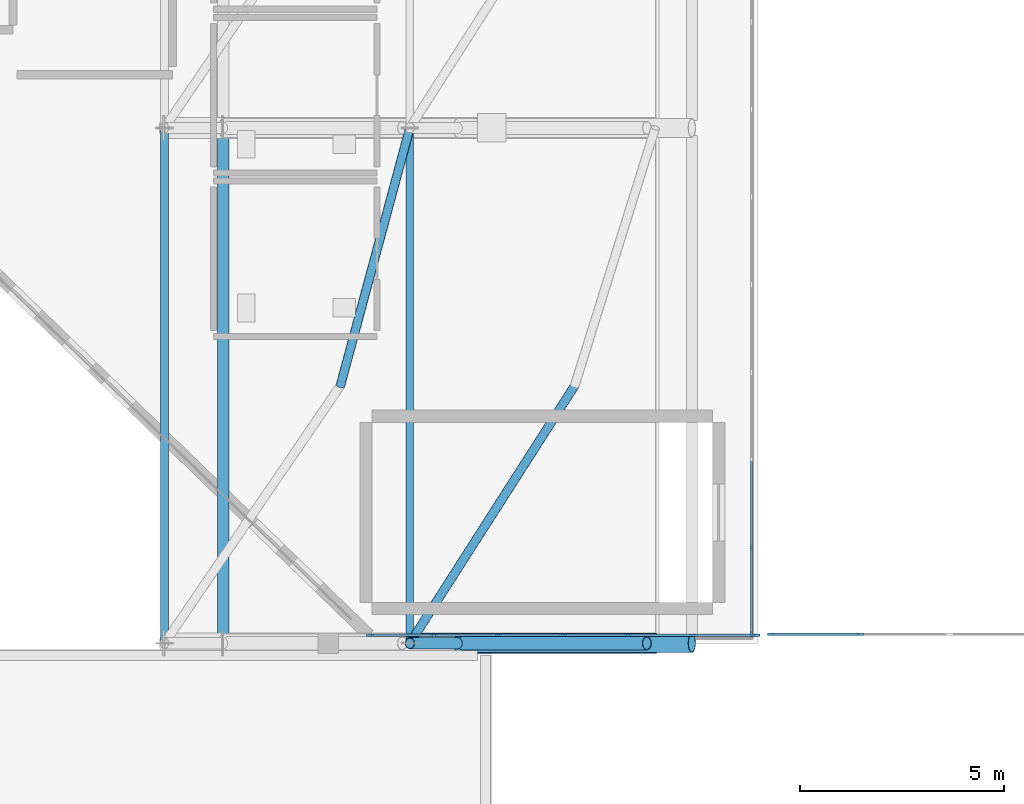
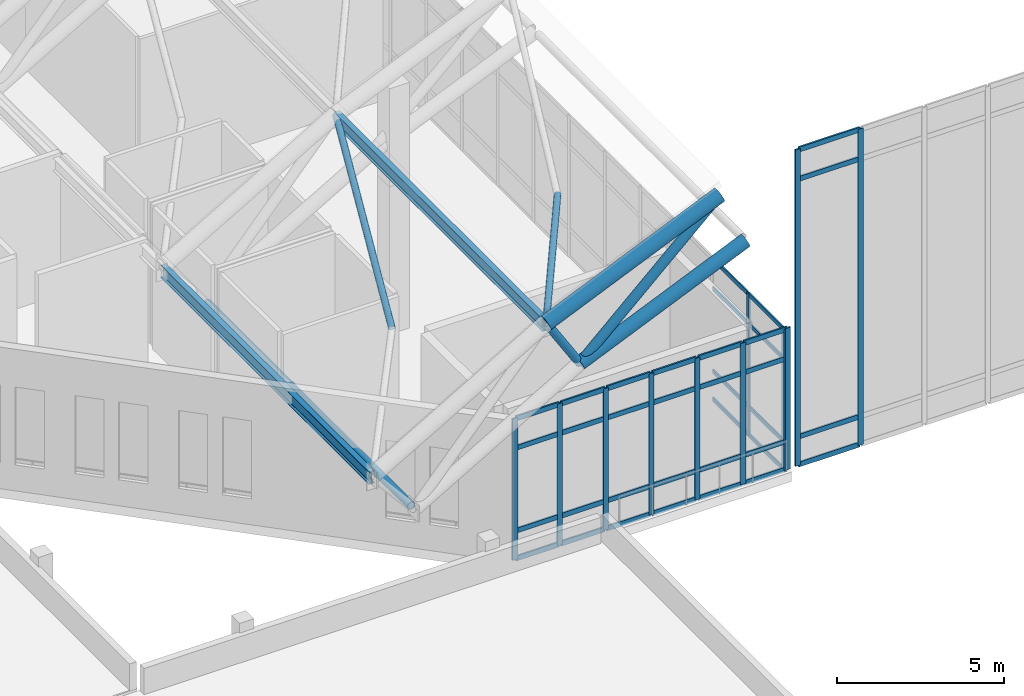
# One storey, part 2 of 42: 56 members, 3 elements without a shape of their own.
"""IFC4 building model written with IfcOpenShell, lengths in metres."""

import ifcopenshell
import ifcopenshell.guid

model = None  # the IFC model being written
_history = None  # IfcOwnerHistory: only IFC2X3 demands one
_inside = {}  # id of a spatial element -> (the spatial element, [elements in it])
_under = {}  # id of a project, library or spatial element -> (it, [spatial elements below it])
_declared = {}  # id of a project -> (the project, [libraries it declares])
_typed = {}  # id of a type object -> (the type object, [elements of that type])
_made_of = {}  # id of a material, layer set ... -> (it, [elements and type objects made of it])


def new_model(schema):
    """Start an empty IFC model of exactly this schema.

    Asked for "IFC4X3", IfcOpenShell would pick the latest addendum, in which some entities
    have other attributes; the version numbers below select the first issue.
    IFC2X3 requires an IfcOwnerHistory on every rooted entity: one is made here for all.
    """
    global model, _history
    if schema == "IFC4X3":
        model = ifcopenshell.file(schema_version=(4, 3, 0, 0))
    else:
        model = ifcopenshell.file(schema=schema)
    _inside.clear()
    _under.clear()
    _declared.clear()
    _typed.clear()
    _made_of.clear()
    _history = None
    if model.schema == "IFC2X3":
        org = make("IfcOrganization", Name="unknown")
        user = make(
            "IfcPersonAndOrganization",
            ThePerson=make("IfcPerson", FamilyName="unknown"),
            TheOrganization=org,
        )
        app = make(
            "IfcApplication",
            ApplicationDeveloper=org,
            Version="unknown",
            ApplicationFullName="unknown",
            ApplicationIdentifier="unknown",
        )
        _history = make(
            "IfcOwnerHistory",
            OwningUser=user,
            OwningApplication=app,
            ChangeAction="ADDED",
            CreationDate=0,
        )
    return model


def make(cls, **values):
    """One entity of the class cls with the attributes given. An attribute that is None is left unset."""
    return model.create_entity(
        cls, **{name: value for name, value in values.items() if value is not None}
    )


def rooted(cls, **values):
    """An entity with a GlobalId (a new one), such as an element, a storey or a relation."""
    return make(cls, GlobalId=ifcopenshell.guid.new(), OwnerHistory=_history, **values)


def si_unit(unit_type, name, prefix=None):
    """IfcSIUnit, for example si_unit("LENGTHUNIT", "METRE", prefix="MILLI")."""
    return make("IfcSIUnit", UnitType=unit_type, Prefix=prefix, Name=name)


def derived_unit(unit_type, elements):
    """IfcDerivedUnit: a product of units, each with its exponent."""
    return make(
        "IfcDerivedUnit",
        Elements=[
            make("IfcDerivedUnitElement", Unit=unit, Exponent=power)
            for unit, power in elements
        ],
        UnitType=unit_type,
    )


def assignment(units):
    """IfcUnitAssignment: the units of a project."""
    return None if units is None else make("IfcUnitAssignment", Units=units)


def point(xyz):
    """IfcCartesianPoint."""
    return None if xyz is None else make("IfcCartesianPoint", Coordinates=xyz)


def direction(xyz):
    """IfcDirection."""
    return None if xyz is None else make("IfcDirection", DirectionRatios=xyz)


def frame(location, z_axis=None, x_axis=None):
    """IfcAxis2Placement3D, a coordinate frame: its origin and axes. An axis left out is left unset."""
    return make(
        "IfcAxis2Placement3D",
        Location=point(location),
        Axis=direction(z_axis),
        RefDirection=direction(x_axis),
    )


def frame_2d(location, x_axis=None):
    """IfcAxis2Placement2D, a coordinate frame in the plane: its origin and x axis."""
    return make(
        "IfcAxis2Placement2D", Location=point(location), RefDirection=direction(x_axis)
    )


def origin():
    """The frame at (0, 0, 0) with its axes left unset."""
    return frame((0.0, 0.0, 0.0))


def origin_2d():
    """The frame at (0, 0) in the plane with its x axis left unset."""
    return frame_2d((0.0, 0.0))


def place(relative_to, where):
    """IfcLocalPlacement: puts the frame where relative to a parent placement (None: the world)."""
    return make(
        "IfcLocalPlacement", PlacementRelTo=relative_to, RelativePlacement=where
    )


def context(
    kind, dimensions, precision=None, world=None, true_north=None, identifier=None
):
    """IfcGeometricRepresentationContext, for example the 3D "Model" context."""
    return make(
        "IfcGeometricRepresentationContext",
        ContextIdentifier=identifier,
        ContextType=kind,
        CoordinateSpaceDimension=dimensions,
        Precision=precision,
        WorldCoordinateSystem=world,
        TrueNorth=true_north,
    )


def subcontext(parent, identifier, kind, view, scale=None):
    """IfcGeometricRepresentationSubContext, for example "Body" below "Model"."""
    return make(
        "IfcGeometricRepresentationSubContext",
        ContextIdentifier=identifier,
        ContextType=kind,
        ParentContext=parent,
        TargetScale=scale,
        TargetView=view,
    )


def project(units=None, contexts=None):
    """IfcProject with its units and contexts."""
    return rooted(
        "IfcProject",
        Name="project",
        RepresentationContexts=contexts,
        UnitsInContext=assignment(units),
    )


def spatial(cls, under=None, at=None, **own):
    """A site, building, storey or space (cls), placed at a placement, below another one or the project."""
    s = rooted(cls, ObjectPlacement=at, **own)
    if under is not None:
        _under.setdefault(under.id(), (under, []))[1].append(s)
    return s


def profile(cls, at=None, kind="AREA", **sizes):
    """A parametric profile (cls). Its sizes go by their IFC names, for example OverallWidth=200.0."""
    return make(cls, ProfileType=kind, Position=at, **sizes)


def rectangle(**sizes):
    """IfcRectangleProfileDef."""
    return profile("IfcRectangleProfileDef", **sizes)


def hollow_circle(**sizes):
    """IfcCircleHollowProfileDef."""
    return profile("IfcCircleHollowProfileDef", **sizes)


def i_section(**sizes):
    """IfcIShapeProfileDef."""
    return profile("IfcIShapeProfileDef", **sizes)


def extrude(swept, where, along, depth):
    """IfcExtrudedAreaSolid: the profile swept, set in the frame where, extruded along a direction by depth."""
    return make(
        "IfcExtrudedAreaSolid",
        SweptArea=swept,
        Position=where,
        ExtrudedDirection=direction(along),
        Depth=depth,
    )


def shape(context_of_items, identifier, shape_type, items):
    """IfcShapeRepresentation: the items that make up one representation, for example the "Body"."""
    return make(
        "IfcShapeRepresentation",
        ContextOfItems=context_of_items,
        RepresentationIdentifier=identifier,
        RepresentationType=shape_type,
        Items=items,
    )


def material(Name=None, Category=None):
    """IfcMaterial."""
    return make("IfcMaterial", Name=Name, Category=Category)


def layer(
    of_material, thickness, ventilated=None, Name=None, Category=None, Priority=None
):
    """IfcMaterialLayer: one layer of a wall or slab, of a material (None: an air gap)."""
    return make(
        "IfcMaterialLayer",
        Material=of_material,
        LayerThickness=thickness,
        IsVentilated=ventilated,
        Name=Name,
        Category=Category,
        Priority=Priority,
    )


def layer_set(layers, Name=None):
    """IfcMaterialLayerSet."""
    return make("IfcMaterialLayerSet", MaterialLayers=layers, LayerSetName=Name)


def material_profile(
    of_material, cross_section, Name=None, Category=None, Priority=None
):
    """IfcMaterialProfile: a cross section and its material."""
    return make(
        "IfcMaterialProfile",
        Name=Name,
        Material=of_material,
        Profile=cross_section,
        Priority=Priority,
        Category=Category,
    )


def profile_set(profiles, Name=None, composite=None):
    """IfcMaterialProfileSet."""
    return make(
        "IfcMaterialProfileSet",
        Name=Name,
        MaterialProfiles=profiles,
        CompositeProfile=composite,
    )


def made_of(thing, what):
    """Note that an element or type object is made of a material, layer set ...; save() writes the relation."""
    if what is not None:
        _made_of.setdefault(what.id(), (what, []))[1].append(thing)
    return thing


def type_object(cls, material=None, **own):
    """A type object (cls), such as IfcWallType, which elements share."""
    return made_of(rooted(cls, **own), material)


def element(
    cls,
    number,
    at=None,
    inside=None,
    cuts=None,
    type_object=None,
    material=None,
    context=None,
    identifier="Body",
    shape_type=None,
    held_by="IfcProductDefinitionShape",
    body=None,
    shapes=None,
    **own,
):
    """One element of the class cls, such as IfcWall. Its Tag is "e" and its number.

    at: its placement. inside: the storey or other place that contains it. cuts: it is an
    opening in that element (IfcRelVoidsElement). A single representation is given by context,
    identifier, shape_type and body (its items); several are given by shapes. held_by: the class
    of the entity that holds the representations. save() writes the other relations.
    """
    e = rooted(cls, Tag="e%d" % number, ObjectPlacement=at, **own)
    if body is not None:
        shapes = [shape(context, identifier, shape_type, body)]
    if shapes is not None:
        e.Representation = make(held_by, Representations=shapes)
    if inside is not None:
        _inside.setdefault(inside.id(), (inside, []))[1].append(e)
    if cuts is not None:
        rooted(
            "IfcRelVoidsElement", RelatingBuildingElement=cuts, RelatedOpeningElement=e
        )
    if type_object is not None:
        _typed.setdefault(type_object.id(), (type_object, []))[1].append(e)
    return made_of(e, material)


def aggregate(whole, parts):
    """IfcRelAggregates: a whole, such as a stair, and the parts it consists of."""
    return rooted("IfcRelAggregates", RelatingObject=whole, RelatedObjects=parts)


def save(model, path):
    """Write the relations noted so far, then the file.

    IfcRelAggregates (storeys below a building ...), IfcRelContainedInSpatialStructure (elements
    in a storey), IfcRelDefinesByType, IfcRelAssociatesMaterial and IfcRelDeclares: one each for
    every whole, place, type object, material and project.
    """
    for whole, parts in _under.values():
        aggregate(whole, parts)
    for where, things in _inside.values():
        rooted(
            "IfcRelContainedInSpatialStructure",
            RelatedElements=things,
            RelatingStructure=where,
        )
    for kind, things in _typed.values():
        rooted("IfcRelDefinesByType", RelatedObjects=things, RelatingType=kind)
    for what, things in _made_of.values():
        rooted("IfcRelAssociatesMaterial", RelatedObjects=things, RelatingMaterial=what)
    for by, libraries in _declared.values():
        rooted("IfcRelDeclares", RelatingContext=by, RelatedDefinitions=libraries)
    model.write(path)


model = new_model("IFC4")

# Units and contexts
model_context = context("Model", 3, precision=1e-05, world=origin(), true_north=direction((0.0, 1.0)))
body_context = subcontext(model_context, "Body", "Model", "MODEL_VIEW")
ifc_project = project(units=[si_unit("LENGTHUNIT", "METRE"), si_unit("AREAUNIT", "SQUARE_METRE"), si_unit("VOLUMEUNIT", "CUBIC_METRE"), si_unit("PLANEANGLEUNIT", "RADIAN"), si_unit("MASSUNIT", "GRAM", prefix="KILO"), derived_unit("THERMALTRANSMITTANCEUNIT", [(si_unit("MASSUNIT", "GRAM", prefix="KILO"), 1), (si_unit("TIMEUNIT", "SECOND"), -3), (si_unit("THERMODYNAMICTEMPERATUREUNIT", "KELVIN"), -1)])], contexts=[model_context])

# Site, building, storey
site_placement = place(None, origin())
site = spatial("IfcSite", under=ifc_project, at=site_placement, CompositionType="ELEMENT")
building_placement = place(site_placement, origin())
building = spatial("IfcBuilding", under=site, at=building_placement, Name="Valcora Ridge Arena", CompositionType="ELEMENT")
storey_placement = place(building_placement, frame((0.0, 0.0, 26.39990234375)))
storey = spatial("IfcBuildingStorey", under=building, at=storey_placement, Name="L05", CompositionType="ELEMENT", Elevation=26.39990234375)

# Curtain wall, members
ifc_material_1 = material(Name="Anodised dark bronze architectural aluminium 6063-T6", Category="aluminium")
ifc_layer_1 = layer(ifc_material_1, 0.14990234375, Name="Anodised dark bronze architectural aluminium 6063-T6")
ifc_layer_set_1 = layer_set([ifc_layer_1], Name="Anodised dark bronze architectural aluminium 6063-T6")
curtain_wall_type_1 = type_object("IfcCurtainWallType", Name="TY-CURTAINWALL-CW-V1-SKY-878X52", PredefinedType="NOTDEFINED", material=ifc_layer_set_1)
curtain_wall_1_placement = place(storey_placement, origin())
curtain_wall_1 = element("IfcCurtainWall", 1, at=curtain_wall_1_placement, inside=storey, type_object=curtain_wall_type_1, Name="CW-V1-SKY-878X52 CW-0171", PredefinedType="NOTDEFINED")
ifc_material_profile_1 = material_profile(ifc_material_1, rectangle(XDim=0.050048828125, YDim=0.14990234375, at=origin_2d()), Name="ALU MULLION 50x150")
ifc_profile_set_1 = profile_set([ifc_material_profile_1], Name="Anodised dark bronze architectural aluminium 6063-T6")
member_type_1 = type_object("IfcMemberType", Name="TY-MEM-CWM-50x150", PredefinedType="MULLION", material=ifc_profile_set_1)
member_1_placement = place(storey_placement, frame((38.35009765625, 20.22509765625, 0.0), z_axis=(0.0, 0.0, 1.0), x_axis=(-1.0, 0.0, 0.0)))
member_1 = element("IfcMember", 2, at=member_1_placement, type_object=member_type_1, Name="CW-0171/CWM-50x150/M00", PredefinedType="MULLION", context=body_context, shape_type="SweptSolid", body=[
    extrude(rectangle(XDim=0.050048828125, YDim=0.14990234375, at=origin_2d()), origin(), (0.0, 0.0, 1.0), 5.18017578125),
])
member_2_placement = place(storey_placement, frame((38.35009765625, 22.341552734375, 0.0), z_axis=(0.0, 0.0, 1.0), x_axis=(-1.0, 0.0, 0.0)))
member_2 = element("IfcMember", 3, at=member_2_placement, type_object=member_type_1, Name="CW-0171/CWM-50x150/M01", PredefinedType="MULLION", context=body_context, shape_type="SweptSolid", body=[
    extrude(rectangle(XDim=0.050048828125, YDim=0.14990234375, at=origin_2d()), origin(), (0.0, 0.0, 1.0), 5.18017578125),
])

ifc_layer_2 = layer(ifc_material_1, 0.179931640625, Name="Anodised dark bronze architectural aluminium 6063-T6")
ifc_layer_set_2 = layer_set([ifc_layer_2], Name="Anodised dark bronze architectural aluminium 6063-T6")
curtain_wall_type_2 = type_object("IfcCurtainWallType", Name="TY-CURTAINWALL-CW-V1-GOTH-095X52", PredefinedType="NOTDEFINED", material=ifc_layer_set_2)
curtain_wall_2_placement = place(storey_placement, origin())
curtain_wall_2 = element("IfcCurtainWall", 4, at=curtain_wall_2_placement, inside=storey, type_object=curtain_wall_type_2, Name="CW-V1-GOTH-095X52 CW-0169", PredefinedType="NOTDEFINED")
ifc_material_profile_2 = material_profile(ifc_material_1, rectangle(XDim=0.06005859375, YDim=0.179931640625, at=origin_2d()), Name="ALU MULLION 60x180")
ifc_profile_set_2 = profile_set([ifc_material_profile_2], Name="Anodised dark bronze architectural aluminium 6063-T6")
member_type_2 = type_object("IfcMemberType", Name="TY-MEM-CWM-60x180", PredefinedType="MULLION", material=ifc_profile_set_2)
member_3_placement = place(storey_placement, frame((29.030029296875, 20.199951171875, 0.0), z_axis=(0.0, 0.0, 1.0), x_axis=(0.0, 1.0, 0.0)))
member_3 = element("IfcMember", 5, at=member_3_placement, type_object=member_type_2, Name="CW-0169/CWM-60x180/M00", PredefinedType="MULLION", context=body_context, shape_type="SweptSolid", body=[
    extrude(rectangle(XDim=0.06005859375, YDim=0.179931640625, at=origin_2d()), origin(), (0.0, 0.0, 1.0), 5.18017578125),
])
member_4_placement = place(storey_placement, frame((30.583251953125, 20.199951171875, 0.0), z_axis=(0.0, 0.0, 1.0), x_axis=(0.0, 1.0, 0.0)))
member_4 = element("IfcMember", 6, at=member_4_placement, type_object=member_type_2, Name="CW-0169/CWM-60x180/M01", PredefinedType="MULLION", context=body_context, shape_type="SweptSolid", body=[
    extrude(rectangle(XDim=0.06005859375, YDim=0.179931640625, at=origin_2d()), origin(), (0.0, 0.0, 1.0), 5.18017578125),
])
member_5_placement = place(storey_placement, frame((32.166748046875, 20.199951171875, 0.0), z_axis=(0.0, 0.0, 1.0), x_axis=(0.0, 1.0, 0.0)))
member_5 = element("IfcMember", 7, at=member_5_placement, type_object=member_type_2, Name="CW-0169/CWM-60x180/M02", PredefinedType="MULLION", context=body_context, shape_type="SweptSolid", body=[
    extrude(rectangle(XDim=0.06005859375, YDim=0.179931640625, at=origin_2d()), origin(), (0.0, 0.0, 1.0), 5.18017578125),
])
member_6_placement = place(storey_placement, frame((33.75, 20.199951171875, 0.0), z_axis=(0.0, 0.0, 1.0), x_axis=(0.0, 1.0, 0.0)))
member_6 = element("IfcMember", 8, at=member_6_placement, type_object=member_type_2, Name="CW-0169/CWM-60x180/M03", PredefinedType="MULLION", context=body_context, shape_type="SweptSolid", body=[
    extrude(rectangle(XDim=0.06005859375, YDim=0.179931640625, at=origin_2d()), origin(), (0.0, 0.0, 1.0), 5.18017578125),
])
member_7_placement = place(storey_placement, frame((35.333251953125, 20.199951171875, 0.0), z_axis=(0.0, 0.0, 1.0), x_axis=(0.0, 1.0, 0.0)))
member_7 = element("IfcMember", 9, at=member_7_placement, type_object=member_type_2, Name="CW-0169/CWM-60x180/M04", PredefinedType="MULLION", context=body_context, shape_type="SweptSolid", body=[
    extrude(rectangle(XDim=0.06005859375, YDim=0.179931640625, at=origin_2d()), origin(), (0.0, 0.0, 1.0), 5.18017578125),
])
member_8_placement = place(storey_placement, frame((36.916748046875, 20.199951171875, 0.0), z_axis=(0.0, 0.0, 1.0), x_axis=(0.0, 1.0, 0.0)))
member_8 = element("IfcMember", 10, at=member_8_placement, type_object=member_type_2, Name="CW-0169/CWM-60x180/M05", PredefinedType="MULLION", context=body_context, shape_type="SweptSolid", body=[
    extrude(rectangle(XDim=0.06005859375, YDim=0.179931640625, at=origin_2d()), origin(), (0.0, 0.0, 1.0), 5.18017578125),
])
member_9_placement = place(storey_placement, frame((38.469970703125, 20.199951171875, 0.0), z_axis=(0.0, 0.0, 1.0), x_axis=(0.0, 1.0, 0.0)))
member_9 = element("IfcMember", 11, at=member_9_placement, type_object=member_type_2, Name="CW-0169/CWM-60x180/M06", PredefinedType="MULLION", context=body_context, shape_type="SweptSolid", body=[
    extrude(rectangle(XDim=0.06005859375, YDim=0.179931640625, at=origin_2d()), origin(), (0.0, 0.0, 1.0), 5.18017578125),
])

ifc_layer_3 = layer(ifc_material_1, 0.179931640625, Name="Anodised dark bronze architectural aluminium 6063-T6")
ifc_layer_set_3 = layer_set([ifc_layer_3], Name="Anodised dark bronze architectural aluminium 6063-T6")
curtain_wall_type_3 = type_object("IfcCurtainWallType", Name="TY-CURTAINWALL-CW-V1-TYMPS-132X116", PredefinedType="NOTDEFINED", material=ifc_layer_set_3)
curtain_wall_3_placement = place(storey_placement, origin())
curtain_wall_3 = element("IfcCurtainWall", 12, at=curtain_wall_3_placement, inside=storey, type_object=curtain_wall_type_3, Name="CW-V1-TYMPS-132X116 CW-0172", PredefinedType="NOTDEFINED")
member_10_placement = place(storey_placement, frame((38.830078125, 20.219970703125, 0.0), z_axis=(0.0, 0.0, 1.0), x_axis=(0.0, 1.0, 0.0)))
member_10 = element("IfcMember", 13, at=member_10_placement, type_object=member_type_2, Name="CW-0172/CWM-60x180/M00", PredefinedType="MULLION", context=body_context, shape_type="SweptSolid", body=[
    extrude(rectangle(XDim=0.06005859375, YDim=0.179931640625, at=origin_2d()), origin(), (0.0, 0.0, 1.0), 11.57666015625),
])
member_11_placement = place(storey_placement, frame((41.0, 20.219970703125, 0.0), z_axis=(0.0, 0.0, 1.0), x_axis=(0.0, 1.0, 0.0)))
member_11 = element("IfcMember", 14, at=member_11_placement, type_object=member_type_2, Name="CW-0172/CWM-60x180/M01", PredefinedType="MULLION", context=body_context, shape_type="SweptSolid", body=[
    extrude(rectangle(XDim=0.06005859375, YDim=0.179931640625, at=origin_2d()), origin(), (0.0, 0.0, 1.0), 11.57666015625),
])

# Member
ifc_material_profile_3 = material_profile(ifc_material_1, rectangle(XDim=0.050048828125, YDim=0.14990234375, at=origin_2d()), Name="ALU TRANSOM 50x150")
ifc_profile_set_3 = profile_set([ifc_material_profile_3], Name="Anodised dark bronze architectural aluminium 6063-T6")
member_type_3 = type_object("IfcMemberType", Name="TY-MEM-CWT-50x150", PredefinedType="USERDEFINED", material=ifc_profile_set_3)
member_12_placement = place(storey_placement, frame((38.35009765625, 20.25, 0.025146484375), z_axis=(0.0, 1.0, 0.0), x_axis=(-1.0, 0.0, 0.0)))
member_12 = element("IfcMember", 15, at=member_12_placement, type_object=member_type_3, Name="CW-0171/CWT-50x150/T00-00", ObjectType="TRANSOM", PredefinedType="USERDEFINED", context=body_context, shape_type="SweptSolid", body=[
    extrude(rectangle(XDim=0.050048828125, YDim=0.14990234375, at=origin_2d()), origin(), (0.0, 0.0, 1.0), 2.06591796875),
])

member_13_placement = place(storey_placement, frame((38.35009765625, 20.25, 1.050048828125), z_axis=(0.0, 1.0, 0.0), x_axis=(-1.0, 0.0, 0.0)))
member_13 = element("IfcMember", 16, at=member_13_placement, type_object=member_type_3, Name="CW-0171/CWT-50x150/T00-01", ObjectType="TRANSOM", PredefinedType="USERDEFINED", context=body_context, shape_type="SweptSolid", body=[
    extrude(rectangle(XDim=0.050048828125, YDim=0.14990234375, at=origin_2d()), origin(), (0.0, 0.0, 1.0), 2.06591796875),
])

member_14_placement = place(storey_placement, frame((38.35009765625, 20.25, 4.080078125), z_axis=(0.0, 1.0, 0.0), x_axis=(-1.0, 0.0, 0.0)))
member_14 = element("IfcMember", 17, at=member_14_placement, type_object=member_type_3, Name="CW-0171/CWT-50x150/T00-02", ObjectType="TRANSOM", PredefinedType="USERDEFINED", context=body_context, shape_type="SweptSolid", body=[
    extrude(rectangle(XDim=0.050048828125, YDim=0.14990234375, at=origin_2d()), origin(), (0.0, 0.0, 1.0), 2.06591796875),
])

member_15_placement = place(storey_placement, frame((38.35009765625, 20.25, 5.155029296875), z_axis=(0.0, 1.0, 0.0), x_axis=(-1.0, 0.0, 0.0)))
member_15 = element("IfcMember", 18, at=member_15_placement, type_object=member_type_3, Name="CW-0171/CWT-50x150/T00-03", ObjectType="TRANSOM", PredefinedType="USERDEFINED", context=body_context, shape_type="SweptSolid", body=[
    extrude(rectangle(XDim=0.050048828125, YDim=0.14990234375, at=origin_2d()), origin(), (0.0, 0.0, 1.0), 2.06591796875),
])

member_16_placement = place(storey_placement, frame((38.35009765625, 22.365966796875, 0.025146484375), z_axis=(0.0, 1.0, 0.0), x_axis=(-1.0, 0.0, 0.0)))
member_16 = element("IfcMember", 19, at=member_16_placement, type_object=member_type_3, Name="CW-0171/CWT-50x150/T01-00", ObjectType="TRANSOM", PredefinedType="USERDEFINED", context=body_context, shape_type="SweptSolid", body=[
    extrude(rectangle(XDim=0.050048828125, YDim=0.14990234375, at=origin_2d()), origin(), (0.0, 0.0, 1.0), 2.092041015625),
])

member_17_placement = place(storey_placement, frame((38.35009765625, 22.365966796875, 1.050048828125), z_axis=(0.0, 1.0, 0.0), x_axis=(-1.0, 0.0, 0.0)))
member_17 = element("IfcMember", 20, at=member_17_placement, type_object=member_type_3, Name="CW-0171/CWT-50x150/T01-01", ObjectType="TRANSOM", PredefinedType="USERDEFINED", context=body_context, shape_type="SweptSolid", body=[
    extrude(rectangle(XDim=0.050048828125, YDim=0.14990234375, at=origin_2d()), origin(), (0.0, 0.0, 1.0), 2.092041015625),
])

member_18_placement = place(storey_placement, frame((38.35009765625, 22.365966796875, 4.080078125), z_axis=(0.0, 1.0, 0.0), x_axis=(-1.0, 0.0, 0.0)))
member_18 = element("IfcMember", 21, at=member_18_placement, type_object=member_type_3, Name="CW-0171/CWT-50x150/T01-02", ObjectType="TRANSOM", PredefinedType="USERDEFINED", context=body_context, shape_type="SweptSolid", body=[
    extrude(rectangle(XDim=0.050048828125, YDim=0.14990234375, at=origin_2d()), origin(), (0.0, 0.0, 1.0), 2.092041015625),
])

member_19_placement = place(storey_placement, frame((38.35009765625, 22.365966796875, 5.155029296875), z_axis=(0.0, 1.0, 0.0), x_axis=(-1.0, 0.0, 0.0)))
member_19 = element("IfcMember", 22, at=member_19_placement, type_object=member_type_3, Name="CW-0171/CWT-50x150/T01-03", ObjectType="TRANSOM", PredefinedType="USERDEFINED", context=body_context, shape_type="SweptSolid", body=[
    extrude(rectangle(XDim=0.050048828125, YDim=0.14990234375, at=origin_2d()), origin(), (0.0, 0.0, 1.0), 2.092041015625),
])

aggregate(curtain_wall_1, [member_1, member_2, member_12, member_13, member_14, member_15, member_16, member_17, member_18, member_19])

ifc_material_profile_4 = material_profile(ifc_material_1, rectangle(XDim=0.06005859375, YDim=0.179931640625, at=origin_2d()), Name="ALU TRANSOM 60x180")
ifc_profile_set_4 = profile_set([ifc_material_profile_4], Name="Anodised dark bronze architectural aluminium 6063-T6")
member_type_4 = type_object("IfcMemberType", Name="TY-MEM-CWT-60x180", PredefinedType="USERDEFINED", material=ifc_profile_set_4)
member_20_placement = place(storey_placement, frame((29.06005859375, 20.199951171875, 0.030029296875), z_axis=(1.0, 0.0, 0.0), x_axis=(0.0, 1.0, 0.0)))
member_20 = element("IfcMember", 23, at=member_20_placement, type_object=member_type_4, Name="CW-0169/CWT-60x180/T00-00", ObjectType="TRANSOM", PredefinedType="USERDEFINED", context=body_context, shape_type="SweptSolid", body=[
    extrude(rectangle(XDim=0.06005859375, YDim=0.179931640625, at=origin_2d()), origin(), (0.0, 0.0, 1.0), 1.492919921875),
])

member_21_placement = place(storey_placement, frame((29.06005859375, 20.199951171875, 1.050048828125), z_axis=(1.0, 0.0, 0.0), x_axis=(0.0, 1.0, 0.0)))
member_21 = element("IfcMember", 24, at=member_21_placement, type_object=member_type_4, Name="CW-0169/CWT-60x180/T00-01", ObjectType="TRANSOM", PredefinedType="USERDEFINED", context=body_context, shape_type="SweptSolid", body=[
    extrude(rectangle(XDim=0.06005859375, YDim=0.179931640625, at=origin_2d()), origin(), (0.0, 0.0, 1.0), 1.492919921875),
])

member_22_placement = place(storey_placement, frame((29.06005859375, 20.199951171875, 4.080078125), z_axis=(1.0, 0.0, 0.0), x_axis=(0.0, 1.0, 0.0)))
member_22 = element("IfcMember", 25, at=member_22_placement, type_object=member_type_4, Name="CW-0169/CWT-60x180/T00-02", ObjectType="TRANSOM", PredefinedType="USERDEFINED", context=body_context, shape_type="SweptSolid", body=[
    extrude(rectangle(XDim=0.06005859375, YDim=0.179931640625, at=origin_2d()), origin(), (0.0, 0.0, 1.0), 1.492919921875),
])

member_23_placement = place(storey_placement, frame((29.06005859375, 20.199951171875, 5.150146484375), z_axis=(1.0, 0.0, 0.0), x_axis=(0.0, 1.0, 0.0)))
member_23 = element("IfcMember", 26, at=member_23_placement, type_object=member_type_4, Name="CW-0169/CWT-60x180/T00-03", ObjectType="TRANSOM", PredefinedType="USERDEFINED", context=body_context, shape_type="SweptSolid", body=[
    extrude(rectangle(XDim=0.06005859375, YDim=0.179931640625, at=origin_2d()), origin(), (0.0, 0.0, 1.0), 1.492919921875),
])

member_24_placement = place(storey_placement, frame((30.613037109375, 20.199951171875, 0.030029296875), z_axis=(1.0, 0.0, 0.0), x_axis=(0.0, 1.0, 0.0)))
member_24 = element("IfcMember", 27, at=member_24_placement, type_object=member_type_4, Name="CW-0169/CWT-60x180/T01-00", ObjectType="TRANSOM", PredefinedType="USERDEFINED", context=body_context, shape_type="SweptSolid", body=[
    extrude(rectangle(XDim=0.06005859375, YDim=0.179931640625, at=origin_2d()), origin(), (0.0, 0.0, 1.0), 1.52392578125),
])

member_25_placement = place(storey_placement, frame((30.613037109375, 20.199951171875, 1.050048828125), z_axis=(1.0, 0.0, 0.0), x_axis=(0.0, 1.0, 0.0)))
member_25 = element("IfcMember", 28, at=member_25_placement, type_object=member_type_4, Name="CW-0169/CWT-60x180/T01-01", ObjectType="TRANSOM", PredefinedType="USERDEFINED", context=body_context, shape_type="SweptSolid", body=[
    extrude(rectangle(XDim=0.06005859375, YDim=0.179931640625, at=origin_2d()), origin(), (0.0, 0.0, 1.0), 1.52392578125),
])

member_26_placement = place(storey_placement, frame((30.613037109375, 20.199951171875, 4.080078125), z_axis=(1.0, 0.0, 0.0), x_axis=(0.0, 1.0, 0.0)))
member_26 = element("IfcMember", 29, at=member_26_placement, type_object=member_type_4, Name="CW-0169/CWT-60x180/T01-02", ObjectType="TRANSOM", PredefinedType="USERDEFINED", context=body_context, shape_type="SweptSolid", body=[
    extrude(rectangle(XDim=0.06005859375, YDim=0.179931640625, at=origin_2d()), origin(), (0.0, 0.0, 1.0), 1.52392578125),
])

member_27_placement = place(storey_placement, frame((30.613037109375, 20.199951171875, 5.150146484375), z_axis=(1.0, 0.0, 0.0), x_axis=(0.0, 1.0, 0.0)))
member_27 = element("IfcMember", 30, at=member_27_placement, type_object=member_type_4, Name="CW-0169/CWT-60x180/T01-03", ObjectType="TRANSOM", PredefinedType="USERDEFINED", context=body_context, shape_type="SweptSolid", body=[
    extrude(rectangle(XDim=0.06005859375, YDim=0.179931640625, at=origin_2d()), origin(), (0.0, 0.0, 1.0), 1.52392578125),
])

member_28_placement = place(storey_placement, frame((32.197021484375, 20.199951171875, 0.030029296875), z_axis=(1.0, 0.0, 0.0), x_axis=(0.0, 1.0, 0.0)))
member_28 = element("IfcMember", 31, at=member_28_placement, type_object=member_type_4, Name="CW-0169/CWT-60x180/T02-00", ObjectType="TRANSOM", PredefinedType="USERDEFINED", context=body_context, shape_type="SweptSolid", body=[
    extrude(rectangle(XDim=0.06005859375, YDim=0.179931640625, at=origin_2d()), origin(), (0.0, 0.0, 1.0), 1.52294921875),
])

member_29_placement = place(storey_placement, frame((32.197021484375, 20.199951171875, 1.050048828125), z_axis=(1.0, 0.0, 0.0), x_axis=(0.0, 1.0, 0.0)))
member_29 = element("IfcMember", 32, at=member_29_placement, type_object=member_type_4, Name="CW-0169/CWT-60x180/T02-01", ObjectType="TRANSOM", PredefinedType="USERDEFINED", context=body_context, shape_type="SweptSolid", body=[
    extrude(rectangle(XDim=0.06005859375, YDim=0.179931640625, at=origin_2d()), origin(), (0.0, 0.0, 1.0), 1.52294921875),
])

member_30_placement = place(storey_placement, frame((32.197021484375, 20.199951171875, 4.080078125), z_axis=(1.0, 0.0, 0.0), x_axis=(0.0, 1.0, 0.0)))
member_30 = element("IfcMember", 33, at=member_30_placement, type_object=member_type_4, Name="CW-0169/CWT-60x180/T02-02", ObjectType="TRANSOM", PredefinedType="USERDEFINED", context=body_context, shape_type="SweptSolid", body=[
    extrude(rectangle(XDim=0.06005859375, YDim=0.179931640625, at=origin_2d()), origin(), (0.0, 0.0, 1.0), 1.52294921875),
])

member_31_placement = place(storey_placement, frame((32.197021484375, 20.199951171875, 5.150146484375), z_axis=(1.0, 0.0, 0.0), x_axis=(0.0, 1.0, 0.0)))
member_31 = element("IfcMember", 34, at=member_31_placement, type_object=member_type_4, Name="CW-0169/CWT-60x180/T02-03", ObjectType="TRANSOM", PredefinedType="USERDEFINED", context=body_context, shape_type="SweptSolid", body=[
    extrude(rectangle(XDim=0.06005859375, YDim=0.179931640625, at=origin_2d()), origin(), (0.0, 0.0, 1.0), 1.52294921875),
])

member_32_placement = place(storey_placement, frame((33.780029296875, 20.199951171875, 0.030029296875), z_axis=(1.0, 0.0, 0.0), x_axis=(0.0, 1.0, 0.0)))
member_32 = element("IfcMember", 35, at=member_32_placement, type_object=member_type_4, Name="CW-0169/CWT-60x180/T03-00", ObjectType="TRANSOM", PredefinedType="USERDEFINED", context=body_context, shape_type="SweptSolid", body=[
    extrude(rectangle(XDim=0.06005859375, YDim=0.179931640625, at=origin_2d()), origin(), (0.0, 0.0, 1.0), 1.52294921875),
])

member_33_placement = place(storey_placement, frame((33.780029296875, 20.199951171875, 1.050048828125), z_axis=(1.0, 0.0, 0.0), x_axis=(0.0, 1.0, 0.0)))
member_33 = element("IfcMember", 36, at=member_33_placement, type_object=member_type_4, Name="CW-0169/CWT-60x180/T03-01", ObjectType="TRANSOM", PredefinedType="USERDEFINED", context=body_context, shape_type="SweptSolid", body=[
    extrude(rectangle(XDim=0.06005859375, YDim=0.179931640625, at=origin_2d()), origin(), (0.0, 0.0, 1.0), 1.52294921875),
])

member_34_placement = place(storey_placement, frame((33.780029296875, 20.199951171875, 4.080078125), z_axis=(1.0, 0.0, 0.0), x_axis=(0.0, 1.0, 0.0)))
member_34 = element("IfcMember", 37, at=member_34_placement, type_object=member_type_4, Name="CW-0169/CWT-60x180/T03-02", ObjectType="TRANSOM", PredefinedType="USERDEFINED", context=body_context, shape_type="SweptSolid", body=[
    extrude(rectangle(XDim=0.06005859375, YDim=0.179931640625, at=origin_2d()), origin(), (0.0, 0.0, 1.0), 1.52294921875),
])

member_35_placement = place(storey_placement, frame((33.780029296875, 20.199951171875, 5.150146484375), z_axis=(1.0, 0.0, 0.0), x_axis=(0.0, 1.0, 0.0)))
member_35 = element("IfcMember", 38, at=member_35_placement, type_object=member_type_4, Name="CW-0169/CWT-60x180/T03-03", ObjectType="TRANSOM", PredefinedType="USERDEFINED", context=body_context, shape_type="SweptSolid", body=[
    extrude(rectangle(XDim=0.06005859375, YDim=0.179931640625, at=origin_2d()), origin(), (0.0, 0.0, 1.0), 1.52294921875),
])

member_36_placement = place(storey_placement, frame((35.363037109375, 20.199951171875, 0.030029296875), z_axis=(1.0, 0.0, 0.0), x_axis=(0.0, 1.0, 0.0)))
member_36 = element("IfcMember", 39, at=member_36_placement, type_object=member_type_4, Name="CW-0169/CWT-60x180/T04-00", ObjectType="TRANSOM", PredefinedType="USERDEFINED", context=body_context, shape_type="SweptSolid", body=[
    extrude(rectangle(XDim=0.06005859375, YDim=0.179931640625, at=origin_2d()), origin(), (0.0, 0.0, 1.0), 1.52392578125),
])

member_37_placement = place(storey_placement, frame((35.363037109375, 20.199951171875, 1.050048828125), z_axis=(1.0, 0.0, 0.0), x_axis=(0.0, 1.0, 0.0)))
member_37 = element("IfcMember", 40, at=member_37_placement, type_object=member_type_4, Name="CW-0169/CWT-60x180/T04-01", ObjectType="TRANSOM", PredefinedType="USERDEFINED", context=body_context, shape_type="SweptSolid", body=[
    extrude(rectangle(XDim=0.06005859375, YDim=0.179931640625, at=origin_2d()), origin(), (0.0, 0.0, 1.0), 1.52392578125),
])

member_38_placement = place(storey_placement, frame((35.363037109375, 20.199951171875, 4.080078125), z_axis=(1.0, 0.0, 0.0), x_axis=(0.0, 1.0, 0.0)))
member_38 = element("IfcMember", 41, at=member_38_placement, type_object=member_type_4, Name="CW-0169/CWT-60x180/T04-02", ObjectType="TRANSOM", PredefinedType="USERDEFINED", context=body_context, shape_type="SweptSolid", body=[
    extrude(rectangle(XDim=0.06005859375, YDim=0.179931640625, at=origin_2d()), origin(), (0.0, 0.0, 1.0), 1.52392578125),
])

member_39_placement = place(storey_placement, frame((35.363037109375, 20.199951171875, 5.150146484375), z_axis=(1.0, 0.0, 0.0), x_axis=(0.0, 1.0, 0.0)))
member_39 = element("IfcMember", 42, at=member_39_placement, type_object=member_type_4, Name="CW-0169/CWT-60x180/T04-03", ObjectType="TRANSOM", PredefinedType="USERDEFINED", context=body_context, shape_type="SweptSolid", body=[
    extrude(rectangle(XDim=0.06005859375, YDim=0.179931640625, at=origin_2d()), origin(), (0.0, 0.0, 1.0), 1.52392578125),
])

member_40_placement = place(storey_placement, frame((36.947021484375, 20.199951171875, 0.030029296875), z_axis=(1.0, 0.0, 0.0), x_axis=(0.0, 1.0, 0.0)))
member_40 = element("IfcMember", 43, at=member_40_placement, type_object=member_type_4, Name="CW-0169/CWT-60x180/T05-00", ObjectType="TRANSOM", PredefinedType="USERDEFINED", context=body_context, shape_type="SweptSolid", body=[
    extrude(rectangle(XDim=0.06005859375, YDim=0.179931640625, at=origin_2d()), origin(), (0.0, 0.0, 1.0), 1.492919921875),
])

member_41_placement = place(storey_placement, frame((36.947021484375, 20.199951171875, 1.050048828125), z_axis=(1.0, 0.0, 0.0), x_axis=(0.0, 1.0, 0.0)))
member_41 = element("IfcMember", 44, at=member_41_placement, type_object=member_type_4, Name="CW-0169/CWT-60x180/T05-01", ObjectType="TRANSOM", PredefinedType="USERDEFINED", context=body_context, shape_type="SweptSolid", body=[
    extrude(rectangle(XDim=0.06005859375, YDim=0.179931640625, at=origin_2d()), origin(), (0.0, 0.0, 1.0), 1.492919921875),
])

member_42_placement = place(storey_placement, frame((36.947021484375, 20.199951171875, 4.080078125), z_axis=(1.0, 0.0, 0.0), x_axis=(0.0, 1.0, 0.0)))
member_42 = element("IfcMember", 45, at=member_42_placement, type_object=member_type_4, Name="CW-0169/CWT-60x180/T05-02", ObjectType="TRANSOM", PredefinedType="USERDEFINED", context=body_context, shape_type="SweptSolid", body=[
    extrude(rectangle(XDim=0.06005859375, YDim=0.179931640625, at=origin_2d()), origin(), (0.0, 0.0, 1.0), 1.492919921875),
])

member_43_placement = place(storey_placement, frame((36.947021484375, 20.199951171875, 5.150146484375), z_axis=(1.0, 0.0, 0.0), x_axis=(0.0, 1.0, 0.0)))
member_43 = element("IfcMember", 46, at=member_43_placement, type_object=member_type_4, Name="CW-0169/CWT-60x180/T05-03", ObjectType="TRANSOM", PredefinedType="USERDEFINED", context=body_context, shape_type="SweptSolid", body=[
    extrude(rectangle(XDim=0.06005859375, YDim=0.179931640625, at=origin_2d()), origin(), (0.0, 0.0, 1.0), 1.492919921875),
])

aggregate(curtain_wall_2, [member_3, member_4, member_5, member_6, member_7, member_8, member_9, member_20, member_21, member_22, member_23, member_24, member_25, member_26, member_27, member_28, member_29, member_30, member_31, member_32, member_33, member_34, member_35, member_36, member_37, member_38, member_39, member_40, member_41, member_42, member_43])

member_44_placement = place(storey_placement, frame((38.860107421875, 20.219970703125, 0.030029296875), z_axis=(1.0, 0.0, 0.0), x_axis=(0.0, 1.0, 0.0)))
member_44 = element("IfcMember", 47, at=member_44_placement, type_object=member_type_4, Name="CW-0172/CWT-60x180/T00-00", ObjectType="TRANSOM", PredefinedType="USERDEFINED", context=body_context, shape_type="SweptSolid", body=[
    extrude(rectangle(XDim=0.06005859375, YDim=0.179931640625, at=origin_2d()), origin(), (0.0, 0.0, 1.0), 2.10986328125),
])

member_45_placement = place(storey_placement, frame((38.860107421875, 20.219970703125, 1.050048828125), z_axis=(1.0, 0.0, 0.0), x_axis=(0.0, 1.0, 0.0)))
member_45 = element("IfcMember", 48, at=member_45_placement, type_object=member_type_4, Name="CW-0172/CWT-60x180/T00-01", ObjectType="TRANSOM", PredefinedType="USERDEFINED", context=body_context, shape_type="SweptSolid", body=[
    extrude(rectangle(XDim=0.06005859375, YDim=0.179931640625, at=origin_2d()), origin(), (0.0, 0.0, 1.0), 2.10986328125),
])

member_46_placement = place(storey_placement, frame((38.860107421875, 20.219970703125, 10.476806640625), z_axis=(1.0, 0.0, 0.0), x_axis=(0.0, 1.0, 0.0)))
member_46 = element("IfcMember", 49, at=member_46_placement, type_object=member_type_4, Name="CW-0172/CWT-60x180/T00-02", ObjectType="TRANSOM", PredefinedType="USERDEFINED", context=body_context, shape_type="SweptSolid", body=[
    extrude(rectangle(XDim=0.06005859375, YDim=0.179931640625, at=origin_2d()), origin(), (0.0, 0.0, 1.0), 2.10986328125),
])

member_47_placement = place(storey_placement, frame((38.860107421875, 20.219970703125, 11.546630859375), z_axis=(1.0, 0.0, 0.0), x_axis=(0.0, 1.0, 0.0)))
member_47 = element("IfcMember", 50, at=member_47_placement, type_object=member_type_4, Name="CW-0172/CWT-60x180/T00-03", ObjectType="TRANSOM", PredefinedType="USERDEFINED", context=body_context, shape_type="SweptSolid", body=[
    extrude(rectangle(XDim=0.06005859375, YDim=0.179931640625, at=origin_2d()), origin(), (0.0, 0.0, 1.0), 2.10986328125),
])

aggregate(curtain_wall_3, [member_10, member_11, member_44, member_45, member_46, member_47])

# Members
ifc_material_2 = material(Name="Steel ASTM A572 Grade 50", Category="steel")
ifc_material_profile_5 = material_profile(ifc_material_2, i_section(OverallWidth=0.18994140625, OverallDepth=0.45703125, WebThickness=0.009033203125, FlangeThickness=0.014404296875, FilletRadius=0.014892578125, at=origin_2d()), Name="W18X50")
ifc_profile_set_5 = profile_set([ifc_material_profile_5], Name="Steel ASTM A572 Grade 50")
member_type_5 = type_object("IfcMemberType", Name="TY-MEMBER-PUR-W18X50", PredefinedType="PURLIN", material=ifc_profile_set_5)
for number, where, z_axis, x_axis, name in (
    (51, (24.0, 20.050048828125, 4.845703125), (0.0, 1.0, 0.0), (-1.0, 0.0, 0.0), "PUR-W18X50 SF-PR-PUR-W18X50-0001"),
    (52, (30.0, 20.050048828125, 8.342529296875), (0.0, 1.0, 0.0), (-1.0, 0.0, 0.0), "PUR-W18X50 SF-PR-PUR-W18X50-0002"),
):
    element("IfcMember", number, at=place(storey_placement, frame(where, z_axis=z_axis, x_axis=x_axis)), inside=storey, type_object=member_type_5, Name=name, PredefinedType="PURLIN", context=body_context, shape_type="SweptSolid", body=[
        extrude(i_section(OverallWidth=0.18994140625, OverallDepth=0.45703125, WebThickness=0.009033203125, FlangeThickness=0.014404296875, FilletRadius=0.014892578125, at=origin_2d()), origin(), (0.0, 0.0, 1.0), 12.5),
    ])
ifc_material_3 = material(Name="Steel ASTM A500 Grade C", Category="steel")
ifc_material_profile_6 = material_profile(ifc_material_3, hollow_circle(Radius=0.228515625, WallThickness=0.01611328125, at=origin_2d()), Name="CHS457X16")
ifc_profile_set_6 = profile_set([ifc_material_profile_6], Name="Steel ASTM A500 Grade C")
member_type_6 = type_object("IfcMemberType", Name="TY-MEMBER-SFBC-457", PredefinedType="CHORD", material=ifc_profile_set_6)
member_48_placement = place(storey_placement, frame((31.1669921875, 20.0, 6.558837890625), z_axis=(0.917672105435, 0.0, 0.397338529351), x_axis=(0.0, 1.0, 0.0)))
element("IfcMember", 53, at=member_48_placement, inside=storey, type_object=member_type_6, Name="SFBC-457 Space Frame Bottom Chord", PredefinedType="CHORD", context=body_context, shape_type="SweptSolid", body=[
    extrude(hollow_circle(Radius=0.228515625, WallThickness=0.01611328125, at=origin_2d()), origin(), (0.0, 0.0, 1.0), 6.24267578125),
])
ifc_material_profile_7 = material_profile(ifc_material_3, hollow_circle(Radius=0.136474609375, WallThickness=0.012451171875, at=origin_2d()), Name="CHS273X12")
ifc_profile_set_7 = profile_set([ifc_material_profile_7], Name="Steel ASTM A500 Grade C")
member_type_7 = type_object("IfcMemberType", Name="TY-MEMBER-SFBT-273", PredefinedType="STRUT", material=ifc_profile_set_7)
member_49_placement = place(storey_placement, frame((25.438232421875, 20.179931640625, 3.234130859375), z_axis=(0.0, 1.0, 0.0), x_axis=(-1.0, 0.0, 0.0)))
element("IfcMember", 54, at=member_49_placement, inside=storey, type_object=member_type_7, Name="SFBT-273 Space Frame Bottom Strut", PredefinedType="STRUT", context=body_context, shape_type="SweptSolid", body=[
    extrude(hollow_circle(Radius=0.136474609375, WallThickness=0.012451171875, at=origin_2d()), origin(), (0.0, 0.0, 1.0), 12.239990234375),
])
ifc_material_profile_8 = material_profile(ifc_material_3, hollow_circle(Radius=0.136474609375, WallThickness=0.012451171875, at=origin_2d()), Name="CHS273X12")
ifc_profile_set_8 = profile_set([ifc_material_profile_8], Name="Steel ASTM A500 Grade C")
member_type_8 = type_object("IfcMemberType", Name="TY-MEMBER-SFKP-273", PredefinedType="POST", material=ifc_profile_set_8)
member_50_placement = place(storey_placement, frame((31.1669921875, 20.0, 6.558837890625), z_axis=(-0.528755468485, 0.0, 0.848774207047), x_axis=(0.0, -1.0, 0.0)))
element("IfcMember", 55, at=member_50_placement, inside=storey, type_object=member_type_8, Name="SFKP-273 Space Frame King Post", PredefinedType="POST", context=body_context, shape_type="SweptSolid", body=[
    extrude(hollow_circle(Radius=0.136474609375, WallThickness=0.012451171875, at=origin_2d()), origin(), (0.0, 0.0, 1.0), 2.20703125),
])
ifc_material_profile_9 = material_profile(ifc_material_3, hollow_circle(Radius=0.109619140625, WallThickness=0.010009765625, at=origin_2d()), Name="CHS219X10")
ifc_profile_set_9 = profile_set([ifc_material_profile_9], Name="Steel ASTM A500 Grade C")
member_type_9 = type_object("IfcMemberType", Name="TY-MEMBER-SFST-219", PredefinedType="STRUT", material=ifc_profile_set_9)
member_51_placement = place(storey_placement, frame((28.302734375, 26.300048828125, 5.01220703125), z_axis=(0.230399293261, 0.855214868037, 0.464245296317), x_axis=(-0.965573476233, 0.260130471101, 0.0)))
element("IfcMember", 56, at=member_51_placement, inside=storey, type_object=member_type_9, Name="SFST-219 Space Frame Tie Strut", PredefinedType="STRUT", context=body_context, shape_type="SweptSolid", body=[
    extrude(hollow_circle(Radius=0.109619140625, WallThickness=0.010009765625, at=origin_2d()), origin(), (0.0, 0.0, 1.0), 7.36669921875),
])
member_52_placement = place(storey_placement, frame((34.031494140625, 26.300048828125, 7.895751953125), z_axis=(-0.537622113153, -0.840146468233, 0.071528842887), x_axis=(0.842304003187, -0.539002751584, 0.0)))
element("IfcMember", 57, at=member_52_placement, inside=storey, type_object=member_type_9, Name="SFST-219 Space Frame Tie Strut", PredefinedType="STRUT", context=body_context, shape_type="SweptSolid", body=[
    extrude(hollow_circle(Radius=0.109619140625, WallThickness=0.010009765625, at=origin_2d()), origin(), (0.0, 0.0, 1.0), 7.498779296875),
])
ifc_material_profile_10 = material_profile(ifc_material_3, hollow_circle(Radius=0.25390625, WallThickness=0.01611328125, at=origin_2d()), Name="CHS508X16")
ifc_profile_set_10 = profile_set([ifc_material_profile_10], Name="Steel ASTM A500 Grade C")
member_type_10 = type_object("IfcMemberType", Name="TY-MEMBER-SFTC-508", PredefinedType="CHORD", material=ifc_profile_set_10)
member_53_placement = place(storey_placement, frame((30.0, 20.0, 8.43212890625), z_axis=(0.917672740792, 0.0, 0.397337061961), x_axis=(0.0, 1.0, 0.0)))
element("IfcMember", 58, at=member_53_placement, inside=storey, type_object=member_type_10, Name="SFTC-508 Space Frame Top Chord", PredefinedType="CHORD", context=body_context, shape_type="SweptSolid", body=[
    extrude(hollow_circle(Radius=0.25390625, WallThickness=0.01611328125, at=origin_2d()), origin(), (0.0, 0.0, 1.0), 6.538330078125),
])
ifc_material_profile_11 = material_profile(ifc_material_3, hollow_circle(Radius=0.161865234375, WallThickness=0.012451171875, at=origin_2d()), Name="CHS323X12")
ifc_profile_set_11 = profile_set([ifc_material_profile_11], Name="Steel ASTM A500 Grade C")
member_type_11 = type_object("IfcMemberType", Name="TY-MEMBER-SFWB-323", PredefinedType="BRACE", material=ifc_profile_set_11)
member_54_placement = place(storey_placement, frame((31.284423828125, 20.0, 6.66748046875), z_axis=(0.734030604976, 0.0, 0.679116389847), x_axis=(0.0, 1.0, 0.0)))
element("IfcMember", 59, at=member_54_placement, inside=storey, type_object=member_type_11, Name="SFWB-323 Space Frame Diagonal Brace", PredefinedType="BRACE", context=body_context, shape_type="SweptSolid", body=[
    extrude(hollow_circle(Radius=0.161865234375, WallThickness=0.012451171875, at=origin_2d()), origin(), (0.0, 0.0, 1.0), 6.144287109375),
])

save(model, "model.ifc")
